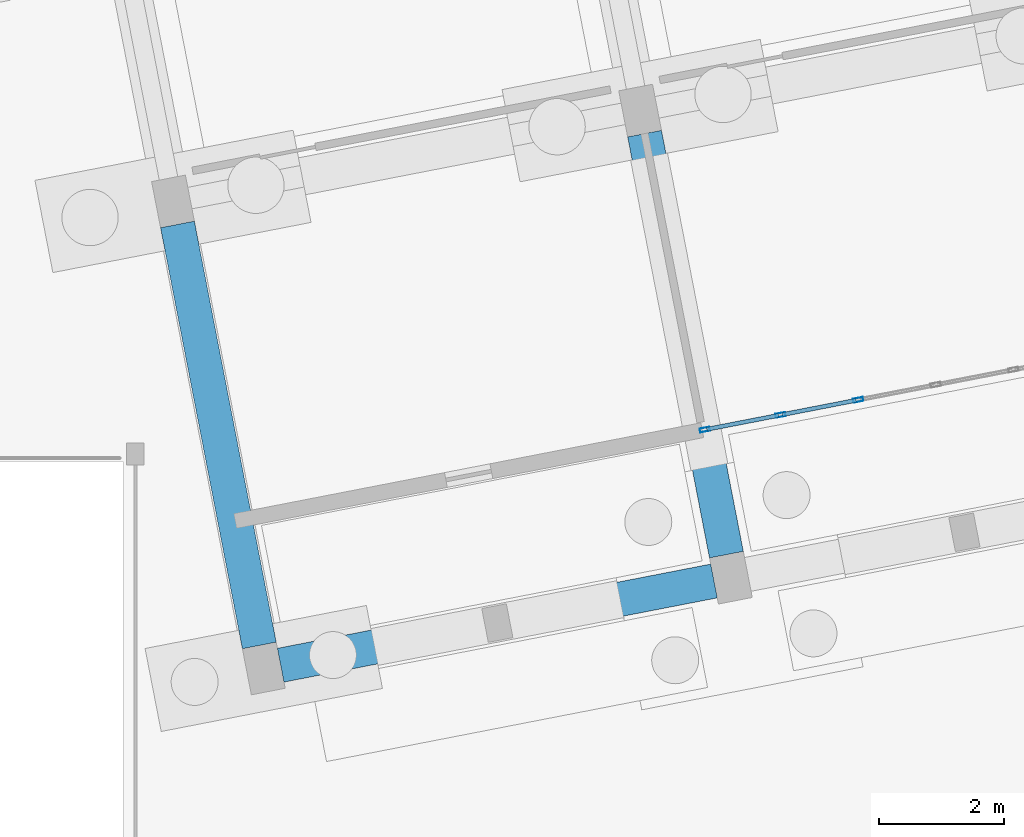
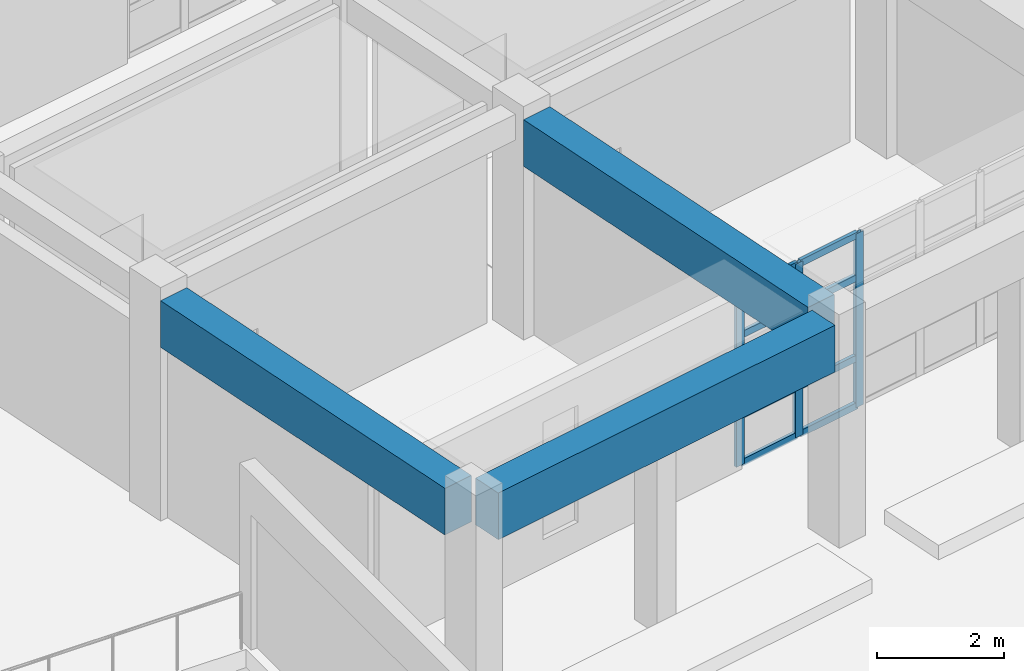
# One storey, part 54 of 154: 11 members, 3 beams, 1 element without a shape of its own.
"""IFC4 building model written with IfcOpenShell, lengths in metres."""

from ifc_helpers import new_model, si_unit, direction, frame, origin, origin_2d, place, context, subcontext, project, spatial, rectangle, hollow_rectangle, extrude, material, material_profile, profile_set, type_object, element, aggregate, save


model = new_model("IFC4")

# Units and contexts
model_context = context("Model", 3, precision=1e-05, world=origin(), true_north=direction((0.0, 1.0)))
body_context = subcontext(model_context, "Body", "Model", "MODEL_VIEW")
ifc_project = project(units=[si_unit("LENGTHUNIT", "METRE"), si_unit("AREAUNIT", "SQUARE_METRE"), si_unit("VOLUMEUNIT", "CUBIC_METRE"), si_unit("PLANEANGLEUNIT", "RADIAN"), si_unit("MASSUNIT", "GRAM", prefix="KILO")], contexts=[model_context])

# Site, building, storey
site_placement = place(None, origin())
site = spatial("IfcSite", under=ifc_project, at=site_placement, CompositionType="ELEMENT")
building_placement = place(site_placement, origin())
building = spatial("IfcBuilding", under=site, at=building_placement, Name="Kestramere Prow Commons", CompositionType="ELEMENT")
storey_placement = place(building_placement, origin())
storey = spatial("IfcBuildingStorey", under=building, at=storey_placement, Name="L00", CompositionType="ELEMENT", Elevation=0.0)

# Curtain wall, members
ifc_material_1 = material(Name="Anodised Aluminium and Low-E Glass", Category="aluminium")
curtain_wall_type = type_object("IfcCurtainWallType", Name="CW-07 Glazed Curtain Wall 7580x3350", PredefinedType="USERDEFINED", material=ifc_material_1)
curtain_wall_placement = place(storey_placement, origin())
curtain_wall = element("IfcCurtainWall", 1, at=curtain_wall_placement, inside=storey, type_object=curtain_wall_type, Name="Block D L00 South Colonnade Storefront 2", ObjectType="GLAZED CURTAIN WALL", PredefinedType="USERDEFINED")
ifc_material_2 = material(Name="Anodised Aluminium 6063-T6", Category="aluminium")
ifc_material_profile_1 = material_profile(ifc_material_2, hollow_rectangle(XDim=0.06494140625, YDim=0.159912109375, WallThickness=0.00390625, at=origin_2d()), Name="ALU-MUL 65x160")
ifc_profile_set_1 = profile_set([ifc_material_profile_1], Name="Anodised Aluminium 6063-T6")
member_type_1 = type_object("IfcMemberType", Name="CW-MUL-65x160", PredefinedType="MULLION", material=ifc_profile_set_1)
member_1_placement = place(storey_placement, frame((127.892578125, 38.2900390625, 0.0), z_axis=(0.0, 0.0, 1.0), x_axis=(0.190808973121, -0.981627187774, 0.0)))
member_1 = element("IfcMember", 2, at=member_1_placement, type_object=member_type_1, Name="CW-07 mullion 5", PredefinedType="MULLION", context=body_context, shape_type="SweptSolid", body=[
    extrude(hollow_rectangle(XDim=0.06494140625, YDim=0.159912109375, WallThickness=0.00390625, at=origin_2d()), origin(), (0.0, 0.0, 1.0), 3.35009765625),
])
member_2_placement = place(storey_placement, frame((126.65234375, 38.049072265625, 0.0), z_axis=(0.0, 0.0, 1.0), x_axis=(0.190808973121, -0.981627187774, 0.0)))
member_2 = element("IfcMember", 3, at=member_2_placement, type_object=member_type_1, Name="CW-07 mullion 6", PredefinedType="MULLION", context=body_context, shape_type="SweptSolid", body=[
    extrude(hollow_rectangle(XDim=0.06494140625, YDim=0.159912109375, WallThickness=0.00390625, at=origin_2d()), origin(), (0.0, 0.0, 1.0), 3.35009765625),
])
member_3_placement = place(storey_placement, frame((125.444091796875, 37.814208984375, 0.0), z_axis=(0.0, 0.0, 1.0), x_axis=(0.190808973121, -0.981627187774, 0.0)))
member_3 = element("IfcMember", 4, at=member_3_placement, type_object=member_type_1, Name="CW-07 mullion 7", PredefinedType="MULLION", context=body_context, shape_type="SweptSolid", body=[
    extrude(hollow_rectangle(XDim=0.06494140625, YDim=0.159912109375, WallThickness=0.00390625, at=origin_2d()), origin(), (0.0, 0.0, 1.0), 3.35009765625),
])
ifc_material_profile_2 = material_profile(ifc_material_2, hollow_rectangle(XDim=0.06494140625, YDim=0.1298828125, WallThickness=0.00390625, at=origin_2d()), Name="ALU-TRN 65x130")
ifc_profile_set_2 = profile_set([ifc_material_profile_2], Name="Anodised Aluminium 6063-T6")
member_type_2 = type_object("IfcMemberType", Name="CW-TRN-65x130", PredefinedType="USERDEFINED", material=ifc_profile_set_2)
member_4_placement = place(storey_placement, frame((127.860595703125, 38.283935546875, 0.032470703125), z_axis=(-0.981609027049, -0.190902378237, 0.0), x_axis=(0.190902378237, -0.981609027049, 0.0)))
member_4 = element("IfcMember", 5, at=member_4_placement, type_object=member_type_2, Name="CW-07 transom 5.1", ObjectType="TRANSOM", PredefinedType="USERDEFINED", context=body_context, shape_type="SweptSolid", body=[
    extrude(hollow_rectangle(XDim=0.06494140625, YDim=0.1298828125, WallThickness=0.00390625, at=origin_2d()), origin(), (0.0, 0.0, 1.0), 1.1982421875),
])
member_5_placement = place(storey_placement, frame((127.860595703125, 38.283935546875, 0.949951171875), z_axis=(-0.981609027049, -0.190902378237, 0.0), x_axis=(0.190902378237, -0.981609027049, 0.0)))
member_5 = element("IfcMember", 6, at=member_5_placement, type_object=member_type_2, Name="CW-07 transom 5.2", ObjectType="TRANSOM", PredefinedType="USERDEFINED", context=body_context, shape_type="SweptSolid", body=[
    extrude(hollow_rectangle(XDim=0.06494140625, YDim=0.1298828125, WallThickness=0.00390625, at=origin_2d()), origin(), (0.0, 0.0, 1.0), 1.1982421875),
])
member_6_placement = place(storey_placement, frame((127.860595703125, 38.283935546875, 2.5), z_axis=(-0.981609027049, -0.190902378237, 0.0), x_axis=(0.190902378237, -0.981609027049, 0.0)))
member_6 = element("IfcMember", 7, at=member_6_placement, type_object=member_type_2, Name="CW-07 transom 5.3", ObjectType="TRANSOM", PredefinedType="USERDEFINED", context=body_context, shape_type="SweptSolid", body=[
    extrude(hollow_rectangle(XDim=0.06494140625, YDim=0.1298828125, WallThickness=0.00390625, at=origin_2d()), origin(), (0.0, 0.0, 1.0), 1.1982421875),
])
member_7_placement = place(storey_placement, frame((127.860595703125, 38.283935546875, 3.3173828125), z_axis=(-0.981609027049, -0.190902378237, 0.0), x_axis=(0.190902378237, -0.981609027049, 0.0)))
member_7 = element("IfcMember", 8, at=member_7_placement, type_object=member_type_2, Name="CW-07 transom 5.4", ObjectType="TRANSOM", PredefinedType="USERDEFINED", context=body_context, shape_type="SweptSolid", body=[
    extrude(hollow_rectangle(XDim=0.06494140625, YDim=0.1298828125, WallThickness=0.00390625, at=origin_2d()), origin(), (0.0, 0.0, 1.0), 1.1982421875),
])
member_8_placement = place(storey_placement, frame((126.620361328125, 38.042724609375, 0.032470703125), z_axis=(-0.981629557026, -0.190796783967, 0.0), x_axis=(0.190796783967, -0.981629557026, 0.0)))
member_8 = element("IfcMember", 9, at=member_8_placement, type_object=member_type_2, Name="CW-07 transom 6.1", ObjectType="TRANSOM", PredefinedType="USERDEFINED", context=body_context, shape_type="SweptSolid", body=[
    extrude(hollow_rectangle(XDim=0.06494140625, YDim=0.1298828125, WallThickness=0.00390625, at=origin_2d()), origin(), (0.0, 0.0, 1.0), 1.165771484375),
])
member_9_placement = place(storey_placement, frame((126.620361328125, 38.042724609375, 0.949951171875), z_axis=(-0.981629557026, -0.190796783967, 0.0), x_axis=(0.190796783967, -0.981629557026, 0.0)))
member_9 = element("IfcMember", 10, at=member_9_placement, type_object=member_type_2, Name="CW-07 transom 6.2", ObjectType="TRANSOM", PredefinedType="USERDEFINED", context=body_context, shape_type="SweptSolid", body=[
    extrude(hollow_rectangle(XDim=0.06494140625, YDim=0.1298828125, WallThickness=0.00390625, at=origin_2d()), origin(), (0.0, 0.0, 1.0), 1.165771484375),
])
member_10_placement = place(storey_placement, frame((126.620361328125, 38.042724609375, 2.5), z_axis=(-0.981629557026, -0.190796783967, 0.0), x_axis=(0.190796783967, -0.981629557026, 0.0)))
member_10 = element("IfcMember", 11, at=member_10_placement, type_object=member_type_2, Name="CW-07 transom 6.3", ObjectType="TRANSOM", PredefinedType="USERDEFINED", context=body_context, shape_type="SweptSolid", body=[
    extrude(hollow_rectangle(XDim=0.06494140625, YDim=0.1298828125, WallThickness=0.00390625, at=origin_2d()), origin(), (0.0, 0.0, 1.0), 1.165771484375),
])
member_11_placement = place(storey_placement, frame((126.620361328125, 38.042724609375, 3.3173828125), z_axis=(-0.981629557026, -0.190796783967, 0.0), x_axis=(0.190796783967, -0.981629557026, 0.0)))
member_11 = element("IfcMember", 12, at=member_11_placement, type_object=member_type_2, Name="CW-07 transom 6.4", ObjectType="TRANSOM", PredefinedType="USERDEFINED", context=body_context, shape_type="SweptSolid", body=[
    extrude(hollow_rectangle(XDim=0.06494140625, YDim=0.1298828125, WallThickness=0.00390625, at=origin_2d()), origin(), (0.0, 0.0, 1.0), 1.165771484375),
])
aggregate(curtain_wall, [member_1, member_2, member_3, member_4, member_5, member_6, member_7, member_8, member_9, member_10, member_11])

# Beams
ifc_material_3 = material(Name="Precast concrete C40/50", Category="concrete")
ifc_material_profile_3 = material_profile(ifc_material_3, rectangle(XDim=0.550048828125, YDim=0.89990234375, at=origin_2d()), Name="PC-TG 550x900")
ifc_profile_set_3 = profile_set([ifc_material_profile_3], Name="Precast concrete C40/50")
beam_type = type_object("IfcBeamType", Name="TG-01 PC-TG 550x900 (EX)", PredefinedType="BEAM", material=ifc_profile_set_3)
beam_1_placement = place(storey_placement, frame((118.669921875, 34.052490234375, 3.800048828125), z_axis=(0.981626562328, 0.19081219073, 0.0), x_axis=(-0.19081219073, 0.981626562328, 0.0)))
element("IfcBeam", 13, at=beam_1_placement, inside=storey, type_object=beam_type, Name="Block D L00 Longitudinal Beam 1-1", PredefinedType="BEAM", context=body_context, shape_type="SweptSolid", body=[
    extrude(rectangle(XDim=0.550048828125, YDim=0.89990234375, at=origin_2d()), origin(), (0.0, 0.0, 1.0), 7.050048828125),
])
beam_2_placement = place(storey_placement, frame((118.328369140625, 34.3681640625, 3.800048828125), z_axis=(-0.19078761731, 0.981631338681, 0.0), x_axis=(-0.981631338681, -0.19078761731, 0.0)))
element("IfcBeam", 14, at=beam_2_placement, inside=storey, type_object=beam_type, Name="Block D L00 S Colonnade Transfer Girder 1", PredefinedType="BEAM", context=body_context, shape_type="SweptSolid", body=[
    extrude(rectangle(XDim=0.550048828125, YDim=0.89990234375, at=origin_2d()), origin(), (0.0, 0.0, 1.0), 6.849853515625),
])
beam_3_placement = place(storey_placement, frame((125.788818359375, 35.818359375, 3.800048828125), z_axis=(-0.190821960873, 0.981624663122, 0.0), x_axis=(-0.981624663122, -0.190821960873, 0.0)))
element("IfcBeam", 15, at=beam_3_placement, inside=storey, type_object=beam_type, Name="Block D L00 S Colonnade Transfer Girder 2", PredefinedType="BEAM", context=body_context, shape_type="SweptSolid", body=[
    extrude(rectangle(XDim=0.550048828125, YDim=0.89990234375, at=origin_2d()), origin(), (0.0, 0.0, 1.0), 6.85009765625),
])

save(model, "model.ifc")
